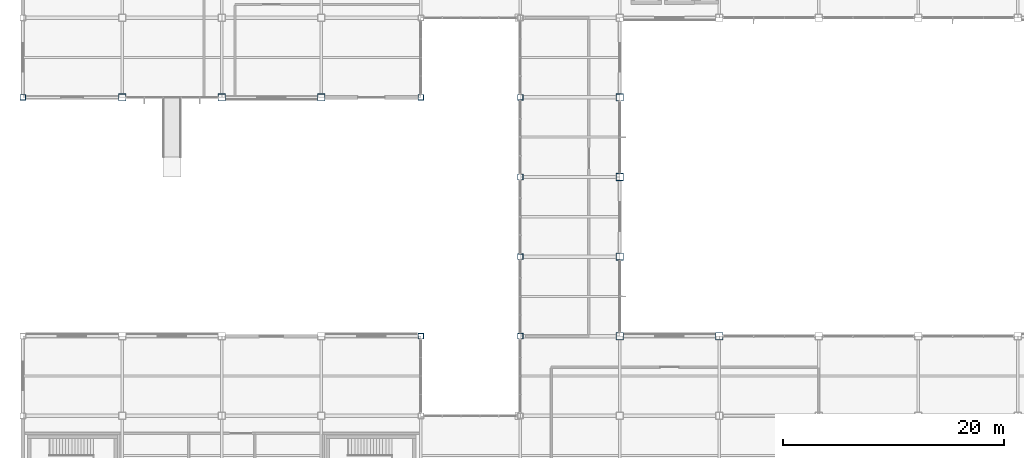
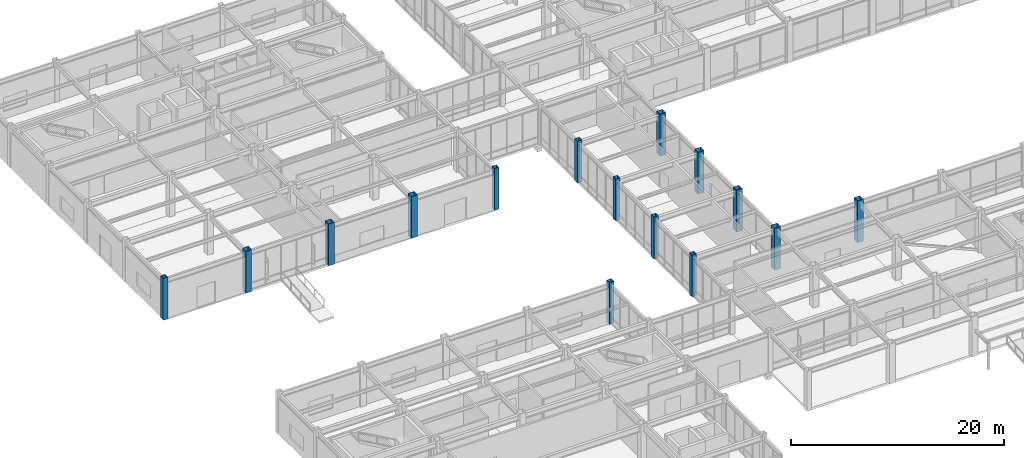
# One storey, part 5 of 112: 15 columns.
"""IFC4 building model written with IfcOpenShell, lengths in metres."""

from ifc_helpers import new_model, si_unit, direction, frame, origin, origin_2d, place, context, subcontext, project, spatial, hollow_rectangle, extrude, material, material_profile, profile_set, type_object, element, save


model = new_model("IFC4")

# Units and contexts
model_context = context("Model", 3, precision=1e-05, world=origin(), true_north=direction((0.0, 1.0)))
body_context = subcontext(model_context, "Body", "Model", "MODEL_VIEW")
ifc_project = project(units=[si_unit("LENGTHUNIT", "METRE"), si_unit("AREAUNIT", "SQUARE_METRE"), si_unit("VOLUMEUNIT", "CUBIC_METRE"), si_unit("PLANEANGLEUNIT", "RADIAN"), si_unit("MASSUNIT", "GRAM", prefix="KILO")], contexts=[model_context])

# Site, building, storey
site_placement = place(None, origin())
site = spatial("IfcSite", under=ifc_project, at=site_placement, CompositionType="ELEMENT")
building_placement = place(site_placement, origin())
building = spatial("IfcBuilding", under=site, at=building_placement, Name="Kazanami Central Library", CompositionType="ELEMENT")
storey_placement = place(building_placement, origin())
storey = spatial("IfcBuildingStorey", under=building, at=storey_placement, Name="L01", CompositionType="ELEMENT", Elevation=0.0)

# Columns
ifc_material = material(Name="Steel BCP325 (325 MPa)", Category="steel")
ifc_material_profile_1 = material_profile(ifc_material, hollow_rectangle(XDim=0.5, YDim=0.5, WallThickness=0.02197265625, at=origin_2d()), Name="BCP-500x500x22")
ifc_profile_set_1 = profile_set([ifc_material_profile_1], Name="Steel BCP325 (325 MPa)")
column_type_1 = type_object("IfcColumnType", Name="COL-C-P1E", PredefinedType="COLUMN", material=ifc_profile_set_1)
for number, where, z_axis, x_axis, name in (
    (1, (0.0, 57.60009765625, 0.0), (0.0, 0.0, 1.0), (1.0, 0.0, 0.0), "Column C-P1E L01 1/J"),
    (2, (36.0, 36.0, 0.0), (0.0, 0.0, 1.0), (1.0, 0.0, 0.0), "Column C-P1E L01 5/F"),
    (3, (36.0, 57.60009765625, 0.0), (0.0, 0.0, 1.0), (1.0, 0.0, 0.0), "Column C-P1E L01 5/J"),
    (4, (45.0, 36.0, 0.0), (0.0, 0.0, 1.0), (1.0, 0.0, 0.0), "Column C-P1E L01 6/F"),
    (5, (45.0, 43.199951171875, 0.0), (0.0, 0.0, 1.0), (1.0, 0.0, 0.0), "Column C-P1E L01 6/G"),
    (6, (45.0, 50.39990234375, 0.0), (0.0, 0.0, 1.0), (1.0, 0.0, 0.0), "Column C-P1E L01 6/H"),
    (7, (45.0, 57.60009765625, 0.0), (0.0, 0.0, 1.0), (1.0, 0.0, 0.0), "Column C-P1E L01 6/J"),
):
    element("IfcColumn", number, at=place(storey_placement, frame(where, z_axis=z_axis, x_axis=x_axis)), inside=storey, type_object=column_type_1, Name=name, PredefinedType="COLUMN", context=body_context, shape_type="SweptSolid", body=[
        extrude(hollow_rectangle(XDim=0.5, YDim=0.5, WallThickness=0.02197265625, at=origin_2d()), origin(), (0.0, 0.0, 1.0), 4.800048828125),
    ])
ifc_material_profile_2 = material_profile(ifc_material, hollow_rectangle(XDim=0.64990234375, YDim=0.64990234375, WallThickness=0.02490234375, at=origin_2d()), Name="BCP-650x650x25")
ifc_profile_set_2 = profile_set([ifc_material_profile_2], Name="Steel BCP325 (325 MPa)")
column_type_2 = type_object("IfcColumnType", Name="COL-C-P1I", PredefinedType="COLUMN", material=ifc_profile_set_2)
for number, where, z_axis, x_axis, name in (
    (8, (9.0, 57.60009765625, 0.0), (0.0, 0.0, 1.0), (1.0, 0.0, 0.0), "Column C-P1I L01 2/J"),
    (9, (18.0, 57.60009765625, 0.0), (0.0, 0.0, 1.0), (1.0, 0.0, 0.0), "Column C-P1I L01 3/J"),
    (10, (27.0, 57.60009765625, 0.0), (0.0, 0.0, 1.0), (1.0, 0.0, 0.0), "Column C-P1I L01 4/J"),
    (11, (54.0, 36.0, 0.0), (0.0, 0.0, 1.0), (1.0, 0.0, 0.0), "Column C-P1I L01 7/F"),
    (12, (54.0, 43.199951171875, 0.0), (0.0, 0.0, 1.0), (1.0, 0.0, 0.0), "Column C-P1I L01 7/G"),
    (13, (54.0, 50.39990234375, 0.0), (0.0, 0.0, 1.0), (1.0, 0.0, 0.0), "Column C-P1I L01 7/H"),
    (14, (54.0, 57.60009765625, 0.0), (0.0, 0.0, 1.0), (1.0, 0.0, 0.0), "Column C-P1I L01 7/J"),
    (15, (63.0, 36.0, 0.0), (0.0, 0.0, 1.0), (1.0, 0.0, 0.0), "Column C-P1I L01 8/F"),
):
    element("IfcColumn", number, at=place(storey_placement, frame(where, z_axis=z_axis, x_axis=x_axis)), inside=storey, type_object=column_type_2, Name=name, PredefinedType="COLUMN", context=body_context, shape_type="SweptSolid", body=[
        extrude(hollow_rectangle(XDim=0.64990234375, YDim=0.64990234375, WallThickness=0.02490234375, at=origin_2d()), origin(), (0.0, 0.0, 1.0), 4.800048828125),
    ])

save(model, "model.ifc")
